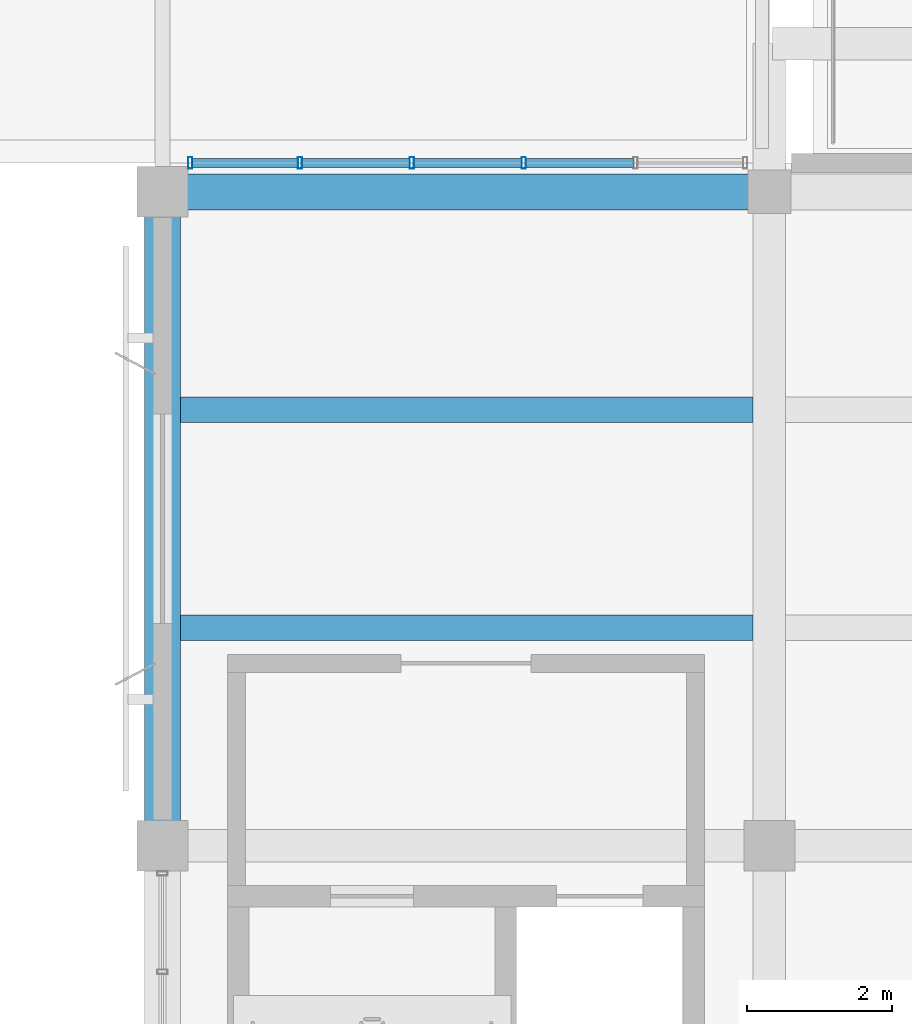
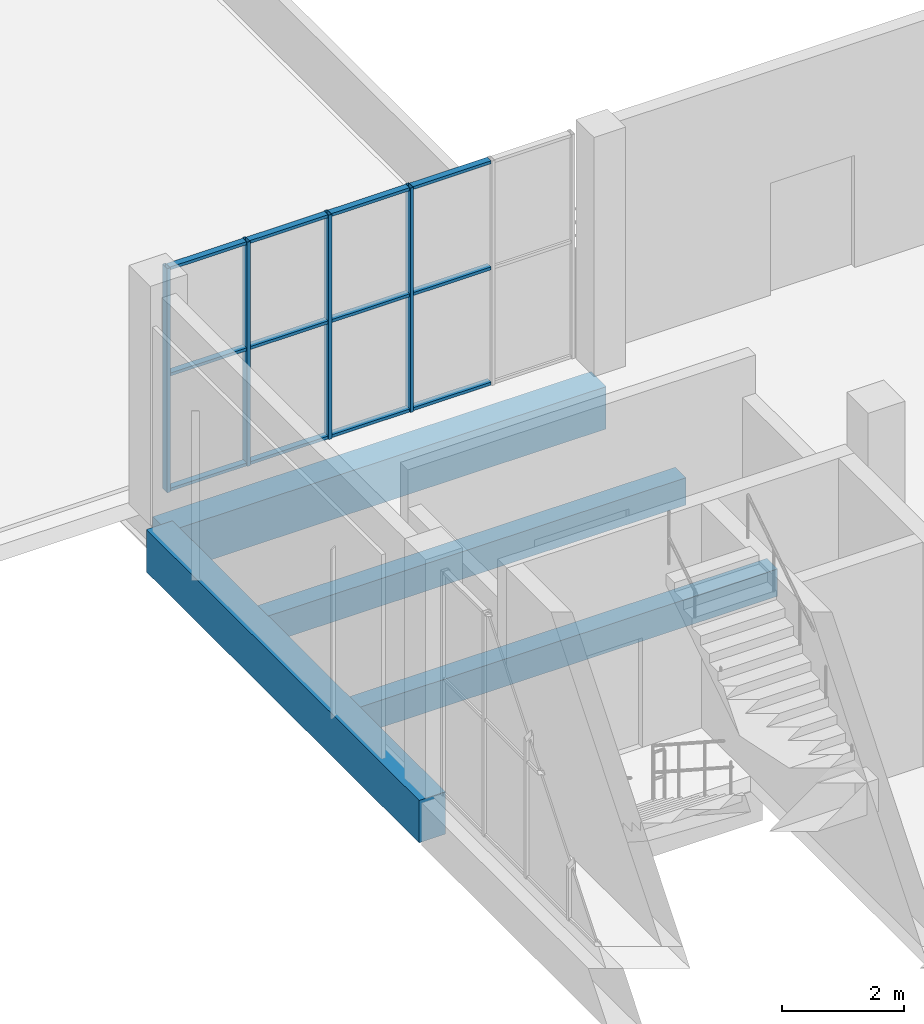
# One storey, part 4 of 80: 16 members, 4 beams, 1 element without a shape of its own.
"""IFC4 building model written with IfcOpenShell, lengths in metres."""

from ifc_helpers import new_model, si_unit, direction, frame, origin, origin_2d, place, context, subcontext, project, spatial, rectangle, hollow_rectangle, extrude, material, material_profile, profile_set, type_object, element, aggregate, save


model = new_model("IFC4")

# Units and contexts
model_context = context("Model", 3, precision=1e-05, world=origin(), true_north=direction((0.0, 1.0)))
body_context = subcontext(model_context, "Body", "Model", "MODEL_VIEW")
ifc_project = project(units=[si_unit("LENGTHUNIT", "METRE"), si_unit("AREAUNIT", "SQUARE_METRE"), si_unit("VOLUMEUNIT", "CUBIC_METRE"), si_unit("PLANEANGLEUNIT", "RADIAN"), si_unit("MASSUNIT", "GRAM", prefix="KILO")], contexts=[model_context])

# Site, building, storey
site_placement = place(None, origin())
site = spatial("IfcSite", under=ifc_project, at=site_placement, CompositionType="ELEMENT")
building_placement = place(site_placement, origin())
building = spatial("IfcBuilding", under=site, at=building_placement, Name="Khurvash Pelagic Aquarium", CompositionType="ELEMENT")
storey_placement = place(building_placement, frame((0.0, 0.0, 10.800048828125)))
storey = spatial("IfcBuildingStorey", under=building, at=storey_placement, Name="L02", CompositionType="ELEMENT", Elevation=10.800048828125)

# Curtain wall, members
ifc_material_1 = material(Name="Anodised aluminium and low-E laminated glass", Category="aluminium")
curtain_wall_type = type_object("IfcCurtainWallType", Name="CW-06", PredefinedType="USERDEFINED", material=ifc_material_1)
curtain_wall_placement = place(storey_placement, origin())
curtain_wall = element("IfcCurtainWall", 1, at=curtain_wall_placement, inside=storey, type_object=curtain_wall_type, Name="L02 Facade Unitised Curtain Wall CW-06 0160", ObjectType="UNITISED CURTAIN WALL", PredefinedType="USERDEFINED")
ifc_material_2 = material(Name="Extruded aluminium AW-6063-T6", Category="aluminium")
ifc_material_profile_1 = material_profile(ifc_material_2, hollow_rectangle(XDim=0.06005859375, YDim=0.159912109375, WallThickness=0.00390625, at=origin_2d()), Name="CWM60X160X4")
ifc_profile_set_1 = profile_set([ifc_material_profile_1], Name="Extruded aluminium AW-6063-T6")
member_type_1 = type_object("IfcMemberType", Name="CM-02", PredefinedType="MULLION", material=ifc_profile_set_1)
member_1_placement = place(storey_placement, frame((30.198974609375, 30.14990234375, 0.0), z_axis=(0.0, 0.0, 1.0), x_axis=(-1.0, 0.0, 0.0)))
member_1 = element("IfcMember", 2, at=member_1_placement, type_object=member_type_1, Name="CW-06 mullion 3", PredefinedType="MULLION", context=body_context, shape_type="SweptSolid", body=[
    extrude(hollow_rectangle(XDim=0.06005859375, YDim=0.159912109375, WallThickness=0.00390625, at=origin_2d()), origin(), (0.0, 0.0, 1.0), 4.5),
])
member_2_placement = place(storey_placement, frame((28.65087890625, 30.14990234375, 0.0), z_axis=(0.0, 0.0, 1.0), x_axis=(-1.0, 0.0, 0.0)))
member_2 = element("IfcMember", 3, at=member_2_placement, type_object=member_type_1, Name="CW-06 mullion 4", PredefinedType="MULLION", context=body_context, shape_type="SweptSolid", body=[
    extrude(hollow_rectangle(XDim=0.06005859375, YDim=0.159912109375, WallThickness=0.00390625, at=origin_2d()), origin(), (0.0, 0.0, 1.0), 4.5),
])
member_3_placement = place(storey_placement, frame((27.10302734375, 30.14990234375, 0.0), z_axis=(0.0, 0.0, 1.0), x_axis=(-1.0, 0.0, 0.0)))
member_3 = element("IfcMember", 4, at=member_3_placement, type_object=member_type_1, Name="CW-06 mullion 5", PredefinedType="MULLION", context=body_context, shape_type="SweptSolid", body=[
    extrude(hollow_rectangle(XDim=0.06005859375, YDim=0.159912109375, WallThickness=0.00390625, at=origin_2d()), origin(), (0.0, 0.0, 1.0), 4.5),
])
member_4_placement = place(storey_placement, frame((25.5849609375, 30.14990234375, 0.0), z_axis=(0.0, 0.0, 1.0), x_axis=(-1.0, 0.0, 0.0)))
member_4 = element("IfcMember", 5, at=member_4_placement, type_object=member_type_1, Name="CW-06 mullion 6", PredefinedType="MULLION", context=body_context, shape_type="SweptSolid", body=[
    extrude(hollow_rectangle(XDim=0.06005859375, YDim=0.159912109375, WallThickness=0.00390625, at=origin_2d()), origin(), (0.0, 0.0, 1.0), 4.5),
])
ifc_material_profile_2 = material_profile(ifc_material_2, hollow_rectangle(XDim=0.1201171875, YDim=0.06005859375, WallThickness=0.00390625, at=origin_2d()), Name="CWT120X60X4")
ifc_profile_set_2 = profile_set([ifc_material_profile_2], Name="Extruded aluminium AW-6063-T6")
member_type_2 = type_object("IfcMemberType", Name="CT-02", PredefinedType="USERDEFINED", material=ifc_profile_set_2)
member_5_placement = place(storey_placement, frame((31.717041015625, 30.14990234375, 0.030029296875), z_axis=(-1.0, 0.0, 0.0), x_axis=(0.0, -1.0, 0.0)))
member_5 = element("IfcMember", 6, at=member_5_placement, type_object=member_type_2, Name="CW-06 transom 2.1", ObjectType="TRANSOM", PredefinedType="USERDEFINED", context=body_context, shape_type="SweptSolid", body=[
    extrude(hollow_rectangle(XDim=0.1201171875, YDim=0.06005859375, WallThickness=0.00390625, at=origin_2d()), origin(), (0.0, 0.0, 1.0), 1.488037109375),
])
member_6_placement = place(storey_placement, frame((31.717041015625, 30.14990234375, 2.33984375), z_axis=(-1.0, 0.0, 0.0), x_axis=(0.0, -1.0, 0.0)))
member_6 = element("IfcMember", 7, at=member_6_placement, type_object=member_type_2, Name="CW-06 transom 2.2", ObjectType="TRANSOM", PredefinedType="USERDEFINED", context=body_context, shape_type="SweptSolid", body=[
    extrude(hollow_rectangle(XDim=0.1201171875, YDim=0.06005859375, WallThickness=0.00390625, at=origin_2d()), origin(), (0.0, 0.0, 1.0), 1.488037109375),
])
member_7_placement = place(storey_placement, frame((31.717041015625, 30.14990234375, 4.469970703125), z_axis=(-1.0, 0.0, 0.0), x_axis=(0.0, -1.0, 0.0)))
member_7 = element("IfcMember", 8, at=member_7_placement, type_object=member_type_2, Name="CW-06 transom 2.3", ObjectType="TRANSOM", PredefinedType="USERDEFINED", context=body_context, shape_type="SweptSolid", body=[
    extrude(hollow_rectangle(XDim=0.1201171875, YDim=0.06005859375, WallThickness=0.00390625, at=origin_2d()), origin(), (0.0, 0.0, 1.0), 1.488037109375),
])
member_8_placement = place(storey_placement, frame((30.1689453125, 30.14990234375, 0.030029296875), z_axis=(-1.0, 0.0, 0.0), x_axis=(0.0, -1.0, 0.0)))
member_8 = element("IfcMember", 9, at=member_8_placement, type_object=member_type_2, Name="CW-06 transom 3.1", ObjectType="TRANSOM", PredefinedType="USERDEFINED", context=body_context, shape_type="SweptSolid", body=[
    extrude(hollow_rectangle(XDim=0.1201171875, YDim=0.06005859375, WallThickness=0.00390625, at=origin_2d()), origin(), (0.0, 0.0, 1.0), 1.488037109375),
])
member_9_placement = place(storey_placement, frame((30.1689453125, 30.14990234375, 2.33984375), z_axis=(-1.0, 0.0, 0.0), x_axis=(0.0, -1.0, 0.0)))
member_9 = element("IfcMember", 10, at=member_9_placement, type_object=member_type_2, Name="CW-06 transom 3.2", ObjectType="TRANSOM", PredefinedType="USERDEFINED", context=body_context, shape_type="SweptSolid", body=[
    extrude(hollow_rectangle(XDim=0.1201171875, YDim=0.06005859375, WallThickness=0.00390625, at=origin_2d()), origin(), (0.0, 0.0, 1.0), 1.488037109375),
])
member_10_placement = place(storey_placement, frame((30.1689453125, 30.14990234375, 4.469970703125), z_axis=(-1.0, 0.0, 0.0), x_axis=(0.0, -1.0, 0.0)))
member_10 = element("IfcMember", 11, at=member_10_placement, type_object=member_type_2, Name="CW-06 transom 3.3", ObjectType="TRANSOM", PredefinedType="USERDEFINED", context=body_context, shape_type="SweptSolid", body=[
    extrude(hollow_rectangle(XDim=0.1201171875, YDim=0.06005859375, WallThickness=0.00390625, at=origin_2d()), origin(), (0.0, 0.0, 1.0), 1.488037109375),
])
member_11_placement = place(storey_placement, frame((28.62109375, 30.14990234375, 0.030029296875), z_axis=(-1.0, 0.0, 0.0), x_axis=(0.0, -1.0, 0.0)))
member_11 = element("IfcMember", 12, at=member_11_placement, type_object=member_type_2, Name="CW-06 transom 4.1", ObjectType="TRANSOM", PredefinedType="USERDEFINED", context=body_context, shape_type="SweptSolid", body=[
    extrude(hollow_rectangle(XDim=0.1201171875, YDim=0.06005859375, WallThickness=0.00390625, at=origin_2d()), origin(), (0.0, 0.0, 1.0), 1.488037109375),
])
member_12_placement = place(storey_placement, frame((28.62109375, 30.14990234375, 2.33984375), z_axis=(-1.0, 0.0, 0.0), x_axis=(0.0, -1.0, 0.0)))
member_12 = element("IfcMember", 13, at=member_12_placement, type_object=member_type_2, Name="CW-06 transom 4.2", ObjectType="TRANSOM", PredefinedType="USERDEFINED", context=body_context, shape_type="SweptSolid", body=[
    extrude(hollow_rectangle(XDim=0.1201171875, YDim=0.06005859375, WallThickness=0.00390625, at=origin_2d()), origin(), (0.0, 0.0, 1.0), 1.488037109375),
])
member_13_placement = place(storey_placement, frame((28.62109375, 30.14990234375, 4.469970703125), z_axis=(-1.0, 0.0, 0.0), x_axis=(0.0, -1.0, 0.0)))
member_13 = element("IfcMember", 14, at=member_13_placement, type_object=member_type_2, Name="CW-06 transom 4.3", ObjectType="TRANSOM", PredefinedType="USERDEFINED", context=body_context, shape_type="SweptSolid", body=[
    extrude(hollow_rectangle(XDim=0.1201171875, YDim=0.06005859375, WallThickness=0.00390625, at=origin_2d()), origin(), (0.0, 0.0, 1.0), 1.488037109375),
])
member_14_placement = place(storey_placement, frame((27.072998046875, 30.14990234375, 0.030029296875), z_axis=(-1.0, 0.0, 0.0), x_axis=(0.0, -1.0, 0.0)))
member_14 = element("IfcMember", 15, at=member_14_placement, type_object=member_type_2, Name="CW-06 transom 5.1", ObjectType="TRANSOM", PredefinedType="USERDEFINED", context=body_context, shape_type="SweptSolid", body=[
    extrude(hollow_rectangle(XDim=0.1201171875, YDim=0.06005859375, WallThickness=0.00390625, at=origin_2d()), origin(), (0.0, 0.0, 1.0), 1.4580078125),
])
member_15_placement = place(storey_placement, frame((27.072998046875, 30.14990234375, 2.33984375), z_axis=(-1.0, 0.0, 0.0), x_axis=(0.0, -1.0, 0.0)))
member_15 = element("IfcMember", 16, at=member_15_placement, type_object=member_type_2, Name="CW-06 transom 5.2", ObjectType="TRANSOM", PredefinedType="USERDEFINED", context=body_context, shape_type="SweptSolid", body=[
    extrude(hollow_rectangle(XDim=0.1201171875, YDim=0.06005859375, WallThickness=0.00390625, at=origin_2d()), origin(), (0.0, 0.0, 1.0), 1.4580078125),
])
member_16_placement = place(storey_placement, frame((27.072998046875, 30.14990234375, 4.469970703125), z_axis=(-1.0, 0.0, 0.0), x_axis=(0.0, -1.0, 0.0)))
member_16 = element("IfcMember", 17, at=member_16_placement, type_object=member_type_2, Name="CW-06 transom 5.3", ObjectType="TRANSOM", PredefinedType="USERDEFINED", context=body_context, shape_type="SweptSolid", body=[
    extrude(hollow_rectangle(XDim=0.1201171875, YDim=0.06005859375, WallThickness=0.00390625, at=origin_2d()), origin(), (0.0, 0.0, 1.0), 1.4580078125),
])
aggregate(curtain_wall, [member_1, member_2, member_3, member_4, member_5, member_6, member_7, member_8, member_9, member_10, member_11, member_12, member_13, member_14, member_15, member_16])

# Beams
ifc_material_3 = material(Name="Concrete C35/45", Category="concrete")
ifc_material_profile_3 = material_profile(ifc_material_3, rectangle(XDim=0.35009765625, YDim=0.550048828125, at=origin_2d()), Name="RC350X550")
ifc_profile_set_3 = profile_set([ifc_material_profile_3], Name="Concrete C35/45")
beam_type_1 = type_object("IfcBeamType", Name="JS-01", PredefinedType="JOIST", material=ifc_profile_set_3)
for number, where, z_axis, x_axis, name in (
    (18, (25.449951171875, 23.717041015625, -0.574951171875), (1.0, 0.0, 0.0), (0.0, 1.0, 0.0), "L02 Floor Joist JS-01 00739"),
    (19, (25.449951171875, 26.73291015625, -0.574951171875), (1.0, 0.0, 0.0), (0.0, 1.0, 0.0), "L02 Floor Joist JS-01 00740"),
):
    element("IfcBeam", number, at=place(storey_placement, frame(where, z_axis=z_axis, x_axis=x_axis)), inside=storey, type_object=beam_type_1, Name=name, PredefinedType="JOIST", context=body_context, shape_type="SweptSolid", body=[
        extrude(rectangle(XDim=0.35009765625, YDim=0.550048828125, at=origin_2d()), origin(), (0.0, 0.0, 1.0), 7.925048828125),
    ])
ifc_material_4 = material(Name="Concrete C40/50", Category="concrete")
ifc_material_profile_4 = material_profile(ifc_material_4, rectangle(XDim=0.5, YDim=0.85009765625, at=origin_2d()), Name="RC500X850")
ifc_profile_set_4 = profile_set([ifc_material_profile_4], Name="Concrete C40/50")
beam_type_2 = type_object("IfcBeamType", Name="SEB-03", PredefinedType="SPANDREL", material=ifc_profile_set_4)
beam_1_placement = place(storey_placement, frame((25.239990234375, 29.75, -0.7451171875), z_axis=(1.0, 0.0, 0.0), x_axis=(0.0, 1.0, 0.0)))
element("IfcBeam", 20, at=beam_1_placement, inside=storey, type_object=beam_type_2, Name="L02 Primary Girder SEB-03 00591", PredefinedType="SPANDREL", context=body_context, shape_type="SweptSolid", body=[
    extrude(rectangle(XDim=0.5, YDim=0.85009765625, at=origin_2d()), origin(), (0.0, 0.0, 1.0), 8.320068359375),
])
beam_2_placement = place(storey_placement, frame((25.199951171875, 20.739990234375, -0.72509765625), z_axis=(0.0, 1.0, 0.0), x_axis=(-1.0, 0.0, 0.0)))
element("IfcBeam", 21, at=beam_2_placement, inside=storey, type_object=beam_type_2, Name="L02 Primary Girder SEB-03 00660", PredefinedType="SPANDREL", context=body_context, shape_type="SweptSolid", body=[
    extrude(rectangle(XDim=0.5, YDim=0.85009765625, at=origin_2d()), origin(), (0.0, 0.0, 1.0), 8.969970703125),
])

save(model, "model.ifc")
